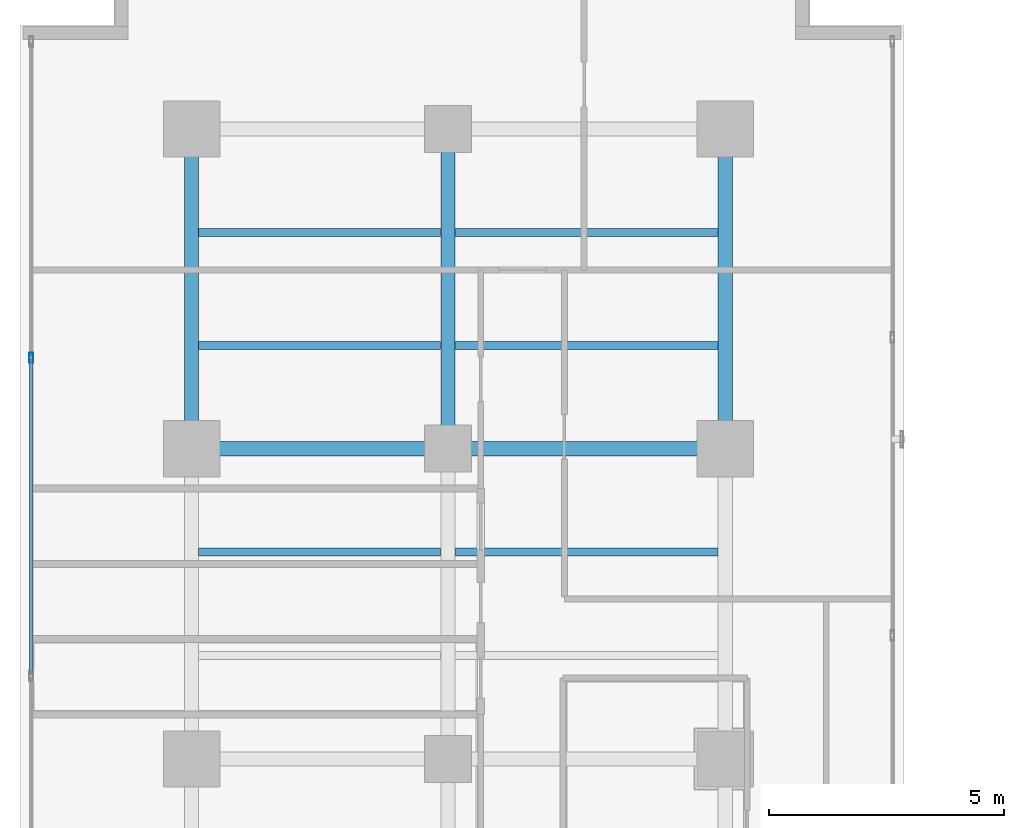
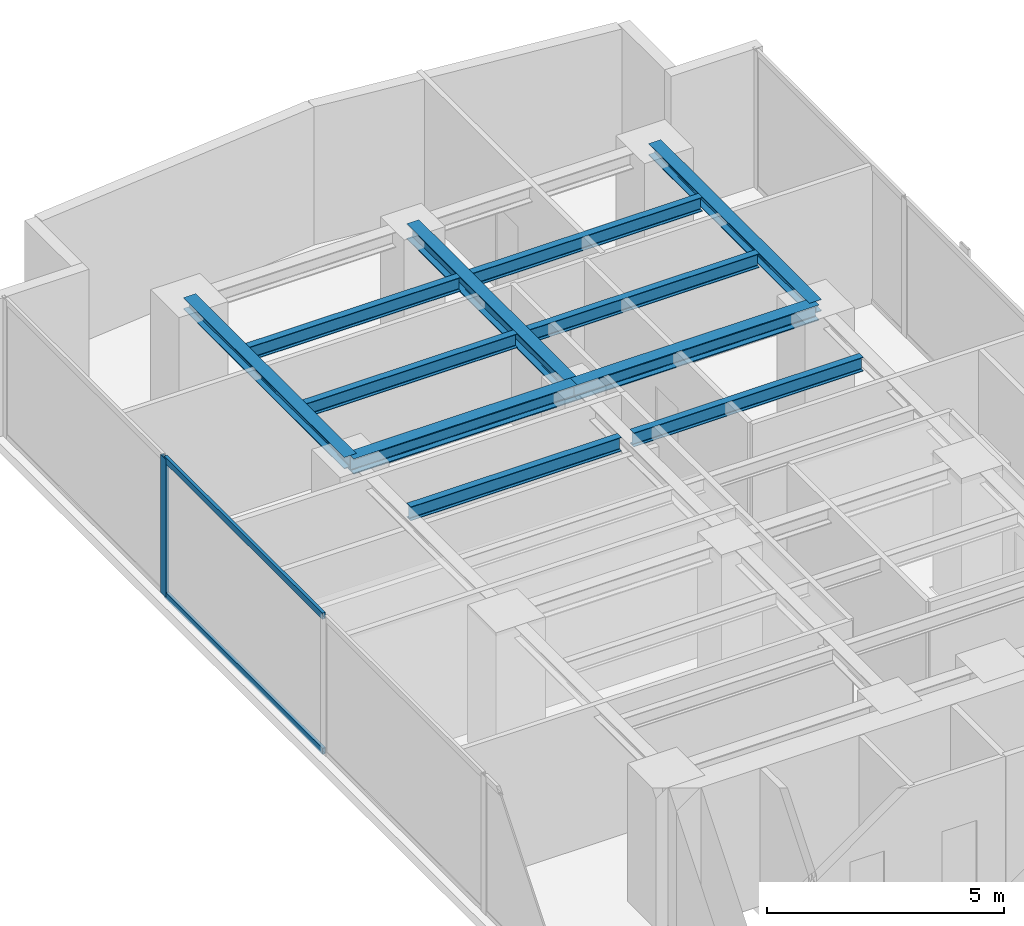
# One storey, part 16 of 27: 11 beams, 3 members, 1 element without a shape of its own.
"""IFC4 building model written with IfcOpenShell, lengths in metres."""

import ifcopenshell
import ifcopenshell.guid

model = None  # the IFC model being written
_history = None  # IfcOwnerHistory: only IFC2X3 demands one
_inside = {}  # id of a spatial element -> (the spatial element, [elements in it])
_under = {}  # id of a project, library or spatial element -> (it, [spatial elements below it])
_declared = {}  # id of a project -> (the project, [libraries it declares])
_typed = {}  # id of a type object -> (the type object, [elements of that type])
_made_of = {}  # id of a material, layer set ... -> (it, [elements and type objects made of it])


def new_model(schema):
    """Start an empty IFC model of exactly this schema.

    Asked for "IFC4X3", IfcOpenShell would pick the latest addendum, in which some entities
    have other attributes; the version numbers below select the first issue.
    IFC2X3 requires an IfcOwnerHistory on every rooted entity: one is made here for all.
    """
    global model, _history
    if schema == "IFC4X3":
        model = ifcopenshell.file(schema_version=(4, 3, 0, 0))
    else:
        model = ifcopenshell.file(schema=schema)
    _inside.clear()
    _under.clear()
    _declared.clear()
    _typed.clear()
    _made_of.clear()
    _history = None
    if model.schema == "IFC2X3":
        org = make("IfcOrganization", Name="unknown")
        user = make(
            "IfcPersonAndOrganization",
            ThePerson=make("IfcPerson", FamilyName="unknown"),
            TheOrganization=org,
        )
        app = make(
            "IfcApplication",
            ApplicationDeveloper=org,
            Version="unknown",
            ApplicationFullName="unknown",
            ApplicationIdentifier="unknown",
        )
        _history = make(
            "IfcOwnerHistory",
            OwningUser=user,
            OwningApplication=app,
            ChangeAction="ADDED",
            CreationDate=0,
        )
    return model


def make(cls, **values):
    """One entity of the class cls with the attributes given. An attribute that is None is left unset."""
    return model.create_entity(
        cls, **{name: value for name, value in values.items() if value is not None}
    )


def rooted(cls, **values):
    """An entity with a GlobalId (a new one), such as an element, a storey or a relation."""
    return make(cls, GlobalId=ifcopenshell.guid.new(), OwnerHistory=_history, **values)


def si_unit(unit_type, name, prefix=None):
    """IfcSIUnit, for example si_unit("LENGTHUNIT", "METRE", prefix="MILLI")."""
    return make("IfcSIUnit", UnitType=unit_type, Prefix=prefix, Name=name)


def assignment(units):
    """IfcUnitAssignment: the units of a project."""
    return None if units is None else make("IfcUnitAssignment", Units=units)


def point(xyz):
    """IfcCartesianPoint."""
    return None if xyz is None else make("IfcCartesianPoint", Coordinates=xyz)


def direction(xyz):
    """IfcDirection."""
    return None if xyz is None else make("IfcDirection", DirectionRatios=xyz)


def frame(location, z_axis=None, x_axis=None):
    """IfcAxis2Placement3D, a coordinate frame: its origin and axes. An axis left out is left unset."""
    return make(
        "IfcAxis2Placement3D",
        Location=point(location),
        Axis=direction(z_axis),
        RefDirection=direction(x_axis),
    )


def frame_2d(location, x_axis=None):
    """IfcAxis2Placement2D, a coordinate frame in the plane: its origin and x axis."""
    return make(
        "IfcAxis2Placement2D", Location=point(location), RefDirection=direction(x_axis)
    )


def origin():
    """The frame at (0, 0, 0) with its axes left unset."""
    return frame((0.0, 0.0, 0.0))


def origin_with_axes():
    """The frame at (0, 0, 0) with the z axis (0, 0, 1) and the x axis (1, 0, 0) written out."""
    return frame((0.0, 0.0, 0.0), z_axis=(0.0, 0.0, 1.0), x_axis=(1.0, 0.0, 0.0))


def origin_2d():
    """The frame at (0, 0) in the plane with its x axis left unset."""
    return frame_2d((0.0, 0.0))


def place(relative_to, where):
    """IfcLocalPlacement: puts the frame where relative to a parent placement (None: the world)."""
    return make(
        "IfcLocalPlacement", PlacementRelTo=relative_to, RelativePlacement=where
    )


def context(
    kind, dimensions, precision=None, world=None, true_north=None, identifier=None
):
    """IfcGeometricRepresentationContext, for example the 3D "Model" context."""
    return make(
        "IfcGeometricRepresentationContext",
        ContextIdentifier=identifier,
        ContextType=kind,
        CoordinateSpaceDimension=dimensions,
        Precision=precision,
        WorldCoordinateSystem=world,
        TrueNorth=true_north,
    )


def subcontext(parent, identifier, kind, view, scale=None):
    """IfcGeometricRepresentationSubContext, for example "Body" below "Model"."""
    return make(
        "IfcGeometricRepresentationSubContext",
        ContextIdentifier=identifier,
        ContextType=kind,
        ParentContext=parent,
        TargetScale=scale,
        TargetView=view,
    )


def project(units=None, contexts=None):
    """IfcProject with its units and contexts."""
    return rooted(
        "IfcProject",
        Name="project",
        RepresentationContexts=contexts,
        UnitsInContext=assignment(units),
    )


def spatial(cls, under=None, at=None, **own):
    """A site, building, storey or space (cls), placed at a placement, below another one or the project."""
    s = rooted(cls, ObjectPlacement=at, **own)
    if under is not None:
        _under.setdefault(under.id(), (under, []))[1].append(s)
    return s


def profile(cls, at=None, kind="AREA", **sizes):
    """A parametric profile (cls). Its sizes go by their IFC names, for example OverallWidth=200.0."""
    return make(cls, ProfileType=kind, Position=at, **sizes)


def hollow_rectangle(**sizes):
    """IfcRectangleHollowProfileDef."""
    return profile("IfcRectangleHollowProfileDef", **sizes)


def i_section(**sizes):
    """IfcIShapeProfileDef."""
    return profile("IfcIShapeProfileDef", **sizes)


def extrude(swept, where, along, depth):
    """IfcExtrudedAreaSolid: the profile swept, set in the frame where, extruded along a direction by depth."""
    return make(
        "IfcExtrudedAreaSolid",
        SweptArea=swept,
        Position=where,
        ExtrudedDirection=direction(along),
        Depth=depth,
    )


def shape(context_of_items, identifier, shape_type, items):
    """IfcShapeRepresentation: the items that make up one representation, for example the "Body"."""
    return make(
        "IfcShapeRepresentation",
        ContextOfItems=context_of_items,
        RepresentationIdentifier=identifier,
        RepresentationType=shape_type,
        Items=items,
    )


def source(mapping_origin, context_of_items, identifier, shape_type, items):
    """IfcRepresentationMap: a shape defined once, which mapped items show again and again."""
    return make(
        "IfcRepresentationMap",
        MappingOrigin=mapping_origin,
        MappedRepresentation=shape(context_of_items, identifier, shape_type, items),
    )


def transform(
    local_origin,
    x_axis=None,
    y_axis=None,
    z_axis=None,
    scale=None,
    scale2=None,
    scale3=None,
    uniform=True,
):
    """IfcCartesianTransformationOperator3D, or its non-uniform kind. x_axis, y_axis, z_axis: its Axis1, 2, 3."""
    if uniform:
        return make(
            "IfcCartesianTransformationOperator3D",
            Axis1=direction(x_axis),
            Axis2=direction(y_axis),
            LocalOrigin=point(local_origin),
            Scale=scale,
            Axis3=direction(z_axis),
        )
    return make(
        "IfcCartesianTransformationOperator3DnonUniform",
        Axis1=direction(x_axis),
        Axis2=direction(y_axis),
        LocalOrigin=point(local_origin),
        Scale=scale,
        Axis3=direction(z_axis),
        Scale2=scale2,
        Scale3=scale3,
    )


def mapped(mapping_source, mapping_target):
    """IfcMappedItem: shows the shape of a source again, moved by a transform."""
    return make(
        "IfcMappedItem", MappingSource=mapping_source, MappingTarget=mapping_target
    )


def material(Name=None, Category=None):
    """IfcMaterial."""
    return make("IfcMaterial", Name=Name, Category=Category)


def layer(
    of_material, thickness, ventilated=None, Name=None, Category=None, Priority=None
):
    """IfcMaterialLayer: one layer of a wall or slab, of a material (None: an air gap)."""
    return make(
        "IfcMaterialLayer",
        Material=of_material,
        LayerThickness=thickness,
        IsVentilated=ventilated,
        Name=Name,
        Category=Category,
        Priority=Priority,
    )


def layer_set(layers, Name=None):
    """IfcMaterialLayerSet."""
    return make("IfcMaterialLayerSet", MaterialLayers=layers, LayerSetName=Name)


def material_profile(
    of_material, cross_section, Name=None, Category=None, Priority=None
):
    """IfcMaterialProfile: a cross section and its material."""
    return make(
        "IfcMaterialProfile",
        Name=Name,
        Material=of_material,
        Profile=cross_section,
        Priority=Priority,
        Category=Category,
    )


def profile_set(profiles, Name=None, composite=None):
    """IfcMaterialProfileSet."""
    return make(
        "IfcMaterialProfileSet",
        Name=Name,
        MaterialProfiles=profiles,
        CompositeProfile=composite,
    )


def made_of(thing, what):
    """Note that an element or type object is made of a material, layer set ...; save() writes the relation."""
    if what is not None:
        _made_of.setdefault(what.id(), (what, []))[1].append(thing)
    return thing


def type_object(cls, material=None, **own):
    """A type object (cls), such as IfcWallType, which elements share."""
    return made_of(rooted(cls, **own), material)


def element(
    cls,
    number,
    at=None,
    inside=None,
    cuts=None,
    type_object=None,
    material=None,
    context=None,
    identifier="Body",
    shape_type=None,
    held_by="IfcProductDefinitionShape",
    body=None,
    shapes=None,
    **own,
):
    """One element of the class cls, such as IfcWall. Its Tag is "e" and its number.

    at: its placement. inside: the storey or other place that contains it. cuts: it is an
    opening in that element (IfcRelVoidsElement). A single representation is given by context,
    identifier, shape_type and body (its items); several are given by shapes. held_by: the class
    of the entity that holds the representations. save() writes the other relations.
    """
    e = rooted(cls, Tag="e%d" % number, ObjectPlacement=at, **own)
    if body is not None:
        shapes = [shape(context, identifier, shape_type, body)]
    if shapes is not None:
        e.Representation = make(held_by, Representations=shapes)
    if inside is not None:
        _inside.setdefault(inside.id(), (inside, []))[1].append(e)
    if cuts is not None:
        rooted(
            "IfcRelVoidsElement", RelatingBuildingElement=cuts, RelatedOpeningElement=e
        )
    if type_object is not None:
        _typed.setdefault(type_object.id(), (type_object, []))[1].append(e)
    return made_of(e, material)


def aggregate(whole, parts):
    """IfcRelAggregates: a whole, such as a stair, and the parts it consists of."""
    return rooted("IfcRelAggregates", RelatingObject=whole, RelatedObjects=parts)


def save(model, path):
    """Write the relations noted so far, then the file.

    IfcRelAggregates (storeys below a building ...), IfcRelContainedInSpatialStructure (elements
    in a storey), IfcRelDefinesByType, IfcRelAssociatesMaterial and IfcRelDeclares: one each for
    every whole, place, type object, material and project.
    """
    for whole, parts in _under.values():
        aggregate(whole, parts)
    for where, things in _inside.values():
        rooted(
            "IfcRelContainedInSpatialStructure",
            RelatedElements=things,
            RelatingStructure=where,
        )
    for kind, things in _typed.values():
        rooted("IfcRelDefinesByType", RelatedObjects=things, RelatingType=kind)
    for what, things in _made_of.values():
        rooted("IfcRelAssociatesMaterial", RelatedObjects=things, RelatingMaterial=what)
    for by, libraries in _declared.values():
        rooted("IfcRelDeclares", RelatingContext=by, RelatedDefinitions=libraries)
    model.write(path)


model = new_model("IFC4")

# Units and contexts
model_context = context("Model", 3, precision=1e-05, world=origin(), true_north=direction((0.0, 1.0)))
body_context = subcontext(model_context, "Body", "Model", "MODEL_VIEW")
ifc_project = project(units=[si_unit("LENGTHUNIT", "METRE"), si_unit("AREAUNIT", "SQUARE_METRE"), si_unit("VOLUMEUNIT", "CUBIC_METRE"), si_unit("PLANEANGLEUNIT", "RADIAN"), si_unit("MASSUNIT", "GRAM", prefix="KILO")], contexts=[model_context])

# Site, building, storey
site_placement = place(None, origin())
site = spatial("IfcSite", under=ifc_project, at=site_placement, CompositionType="ELEMENT")
building_placement = place(site_placement, origin())
building = spatial("IfcBuilding", under=site, at=building_placement, Name="Kolvaren Waterfront Exchange", CompositionType="ELEMENT")
storey_placement = place(building_placement, frame((0.0, 0.0, 191.800048828125)))
storey = spatial("IfcBuildingStorey", under=building, at=storey_placement, Name="L49", CompositionType="ELEMENT", Elevation=191.800048828125)

# Beams
ifc_material_1 = material(Name="Steel S355", Category="steel")
ifc_material_profile_1 = material_profile(ifc_material_1, i_section(OverallWidth=0.300048828125, OverallDepth=0.300048828125, WebThickness=0.010986328125, FlangeThickness=0.01904296875, FilletRadius=0.027099609375, at=origin_2d()), Name="HEB300")
ifc_profile_set_1 = profile_set([ifc_material_profile_1], Name="Steel S355")
beam_type_1 = type_object("IfcBeamType", Name="STR-BM-HEB300", PredefinedType="SPANDREL", material=ifc_profile_set_1)
for number, where, z_axis, x_axis, name in (
    (1, (7.449951171875, 37.800048828125, 3.409912109375), (0.0, 1.0, 0.0), (-1.0, 0.0, 0.0), "L49 north-arm edge beam 3"),
    (2, (18.800048828125, 37.800048828125, 3.409912109375), (0.0, 1.0, 0.0), (-1.0, 0.0, 0.0), "L49 north-arm edge beam 3"),
):
    element("IfcBeam", number, at=place(storey_placement, frame(where, z_axis=z_axis, x_axis=x_axis)), inside=storey, type_object=beam_type_1, Name=name, PredefinedType="SPANDREL", context=body_context, shape_type="SweptSolid", body=[
        extrude(i_section(OverallWidth=0.300048828125, OverallDepth=0.300048828125, WebThickness=0.010986328125, FlangeThickness=0.01904296875, FilletRadius=0.027099609375, at=origin_2d()), origin(), (0.0, 0.0, 1.0), 6.800048828125),
    ])
ifc_material_profile_2 = material_profile(ifc_material_1, i_section(OverallWidth=0.300048828125, OverallDepth=0.39990234375, WebThickness=0.013427734375, FlangeThickness=0.02392578125, FilletRadius=0.027099609375, at=origin_2d()), Name="HEB400")
ifc_profile_set_2 = profile_set([ifc_material_profile_2], Name="Steel S355")
beam_type_2 = type_object("IfcBeamType", Name="STR-BM-HEB400", PredefinedType="BEAM", material=ifc_profile_set_2)
beam_1_placement = place(storey_placement, frame((7.449951171875, 37.800048828125, 3.35986328125), z_axis=(1.0, 0.0, 0.0), x_axis=(0.0, 1.0, 0.0)))
element("IfcBeam", 3, at=beam_1_placement, inside=storey, type_object=beam_type_2, Name="L49 north-arm girder 3A", PredefinedType="BEAM", context=body_context, shape_type="SweptSolid", body=[
    extrude(i_section(OverallWidth=0.300048828125, OverallDepth=0.39990234375, WebThickness=0.013427734375, FlangeThickness=0.02392578125, FilletRadius=0.027099609375, at=origin_2d()), origin(), (0.0, 0.0, 1.0), 5.449951171875),
])
beam_2_placement = place(storey_placement, frame((12.89990234375, 37.800048828125, 3.35986328125), z_axis=(1.0, 0.0, 0.0), x_axis=(0.0, 1.0, 0.0)))
element("IfcBeam", 4, at=beam_2_placement, inside=storey, type_object=beam_type_2, Name="L49 north-arm girder 3B", PredefinedType="BEAM", context=body_context, shape_type="SweptSolid", body=[
    extrude(i_section(OverallWidth=0.300048828125, OverallDepth=0.39990234375, WebThickness=0.013427734375, FlangeThickness=0.02392578125, FilletRadius=0.027099609375, at=origin_2d()), origin(), (0.0, 0.0, 1.0), 5.900146484375),
])
beam_3_placement = place(storey_placement, frame((12.89990234375, 37.800048828125, 3.35986328125), z_axis=(0.0, 1.0, 0.0), x_axis=(-1.0, 0.0, 0.0)))
element("IfcBeam", 5, at=beam_3_placement, inside=storey, type_object=beam_type_2, Name="L49 north-arm edge beam 3", PredefinedType="BEAM", context=body_context, shape_type="SweptSolid", body=[
    extrude(i_section(OverallWidth=0.300048828125, OverallDepth=0.39990234375, WebThickness=0.013427734375, FlangeThickness=0.02392578125, FilletRadius=0.027099609375, at=origin_2d()), origin(), (0.0, 0.0, 1.0), 6.800048828125),
])
ifc_material_profile_3 = material_profile(ifc_material_1, i_section(OverallWidth=0.169921875, OverallDepth=0.360107421875, WebThickness=0.008056640625, FlangeThickness=0.0126953125, FilletRadius=0.01806640625, at=origin_2d()), Name="IPE360")
ifc_profile_set_3 = profile_set([ifc_material_profile_3], Name="Steel S355")
beam_type_3 = type_object("IfcBeamType", Name="STR-BM-IPE360", PredefinedType="JOIST", material=ifc_profile_set_3)
beam_4_placement = place(storey_placement, frame((7.60205078125, 35.60009765625, 3.3798828125), z_axis=(1.0, 0.0, 0.0), x_axis=(0.0, 1.0, 0.0)))
element("IfcBeam", 6, at=beam_4_placement, inside=storey, type_object=beam_type_3, Name="L49 north-arm composite joist 4A", PredefinedType="JOIST", context=body_context, shape_type="SweptSolid", body=[
    extrude(i_section(OverallWidth=0.169921875, OverallDepth=0.360107421875, WebThickness=0.008056640625, FlangeThickness=0.0126953125, FilletRadius=0.01806640625, at=origin_2d()), origin(), (0.0, 0.0, 1.0), 5.14599609375),
])
beam_5_placement = place(storey_placement, frame((13.052001953125, 35.60009765625, 3.3798828125), z_axis=(1.0, 0.0, 0.0), x_axis=(0.0, 1.0, 0.0)))
element("IfcBeam", 7, at=beam_5_placement, inside=storey, type_object=beam_type_3, Name="L49 north-arm composite joist 4B", PredefinedType="JOIST", context=body_context, shape_type="SweptSolid", body=[
    extrude(i_section(OverallWidth=0.169921875, OverallDepth=0.360107421875, WebThickness=0.008056640625, FlangeThickness=0.0126953125, FilletRadius=0.01806640625, at=origin_2d()), origin(), (0.0, 0.0, 1.0), 5.595947265625),
])
beam_6_placement = place(storey_placement, frame((7.60205078125, 40.0, 3.3798828125), z_axis=(1.0, 0.0, 0.0), x_axis=(0.0, 1.0, 0.0)))
element("IfcBeam", 8, at=beam_6_placement, inside=storey, type_object=beam_type_3, Name="L49 north-arm composite joist 5A", PredefinedType="JOIST", context=body_context, shape_type="SweptSolid", body=[
    extrude(i_section(OverallWidth=0.169921875, OverallDepth=0.360107421875, WebThickness=0.008056640625, FlangeThickness=0.0126953125, FilletRadius=0.01806640625, at=origin_2d()), origin(), (0.0, 0.0, 1.0), 5.14599609375),
])
beam_7_placement = place(storey_placement, frame((13.052001953125, 40.0, 3.3798828125), z_axis=(1.0, 0.0, 0.0), x_axis=(0.0, 1.0, 0.0)))
element("IfcBeam", 9, at=beam_7_placement, inside=storey, type_object=beam_type_3, Name="L49 north-arm composite joist 5B", PredefinedType="JOIST", context=body_context, shape_type="SweptSolid", body=[
    extrude(i_section(OverallWidth=0.169921875, OverallDepth=0.360107421875, WebThickness=0.008056640625, FlangeThickness=0.0126953125, FilletRadius=0.01806640625, at=origin_2d()), origin(), (0.0, 0.0, 1.0), 5.595947265625),
])
beam_8_placement = place(storey_placement, frame((7.60205078125, 42.39990234375, 3.3798828125), z_axis=(1.0, 0.0, 0.0), x_axis=(0.0, 1.0, 0.0)))
element("IfcBeam", 10, at=beam_8_placement, inside=storey, type_object=beam_type_3, Name="L49 north-arm composite joist 6A", PredefinedType="JOIST", context=body_context, shape_type="SweptSolid", body=[
    extrude(i_section(OverallWidth=0.169921875, OverallDepth=0.360107421875, WebThickness=0.008056640625, FlangeThickness=0.0126953125, FilletRadius=0.01806640625, at=origin_2d()), origin(), (0.0, 0.0, 1.0), 5.14599609375),
])
beam_9_placement = place(storey_placement, frame((13.052001953125, 42.39990234375, 3.3798828125), z_axis=(1.0, 0.0, 0.0), x_axis=(0.0, 1.0, 0.0)))
element("IfcBeam", 11, at=beam_9_placement, inside=storey, type_object=beam_type_3, Name="L49 north-arm composite joist 6B", PredefinedType="JOIST", context=body_context, shape_type="SweptSolid", body=[
    extrude(i_section(OverallWidth=0.169921875, OverallDepth=0.360107421875, WebThickness=0.008056640625, FlangeThickness=0.0126953125, FilletRadius=0.01806640625, at=origin_2d()), origin(), (0.0, 0.0, 1.0), 5.595947265625),
])

# Curtain wall, members
ifc_material_2 = material(Name="Anodised aluminium 6063-T6", Category="aluminium")
ifc_layer = layer(ifc_material_2, 0.219970703125, Name="Anodised aluminium 6063-T6")
ifc_layer_set = layer_set([ifc_layer], Name="Anodised aluminium 6063-T6")
curtain_wall_type = type_object("IfcCurtainWallType", Name="ARC-CW-SYS2", PredefinedType="USERDEFINED", material=ifc_layer_set)
curtain_wall_placement = place(storey_placement, origin())
curtain_wall = element("IfcCurtainWall", 12, at=curtain_wall_placement, inside=storey, type_object=curtain_wall_type, Name="L49 stick curtain wall CW2 (CW-L49-W)", ObjectType="STICK CURTAIN WALL", PredefinedType="USERDEFINED")
ifc_material_profile_4 = material_profile(ifc_material_2, hollow_rectangle(XDim=0.080078125, YDim=0.219970703125, WallThickness=0.0048828125, at=origin_2d()), Name="ALU-MUL-220x80x5")
ifc_profile_set_4 = profile_set([ifc_material_profile_4], Name="Anodised aluminium 6063-T6")
member_type_1 = type_object("IfcMemberType", Name="ARC-CWM-220", PredefinedType="MULLION", material=ifc_profile_set_4)
shared_shape_1 = source(origin_with_axes(), body_context, "Body", "SweptSolid", [
    extrude(hollow_rectangle(XDim=0.080078125, YDim=0.219970703125, WallThickness=0.0048828125, at=origin_2d()), origin(), (0.0, 0.0, 1.0), 3.56005859375),
])
member_1_placement = place(storey_placement, frame((4.0400390625, 39.7333984375, 0.0), z_axis=(0.0, 0.0, 1.0), x_axis=(-1.0, 0.0, 0.0)))
member_1 = element("IfcMember", 13, at=member_1_placement, type_object=member_type_1, Name="CW2 mullion 6", PredefinedType="MULLION", context=body_context, shape_type="MappedRepresentation", body=[
    mapped(shared_shape_1, transform((0.0, 0.0, 0.0), x_axis=(1.0, 0.0, 0.0), y_axis=(0.0, 1.0, 0.0), z_axis=(0.0, 0.0, 1.0), scale=1.0)),
])
ifc_material_profile_5 = material_profile(ifc_material_2, hollow_rectangle(XDim=0.074951171875, YDim=0.159912109375, WallThickness=0.00439453125, at=origin_2d()), Name="ALU-TRN-160x75x4.5")
ifc_profile_set_5 = profile_set([ifc_material_profile_5], Name="Anodised aluminium 6063-T6")
member_type_2 = type_object("IfcMemberType", Name="ARC-CWT-160", PredefinedType="USERDEFINED", material=ifc_profile_set_5)
shared_shape_2 = source(origin_with_axes(), body_context, "Body", "SweptSolid", [
    extrude(hollow_rectangle(XDim=0.074951171875, YDim=0.159912109375, WallThickness=0.00439453125, at=origin_2d()), origin(), (0.0, 0.0, 1.0), 6.686767578125),
])
member_2_placement = place(storey_placement, frame((4.0400390625, 33.006591796875, 0.037353515625), z_axis=(0.0, 1.0, 0.0), x_axis=(-1.0, 0.0, 0.0)))
member_2 = element("IfcMember", 14, at=member_2_placement, type_object=member_type_2, Name="CW2 transom 5.1", ObjectType="TRANSOM", PredefinedType="USERDEFINED", context=body_context, shape_type="MappedRepresentation", body=[
    mapped(shared_shape_2, transform((0.0, 0.0, 0.0), x_axis=(1.0, 0.0, 0.0), y_axis=(0.0, 1.0, 0.0), z_axis=(0.0, 0.0, 1.0), scale=1.0)),
])
member_3_placement = place(storey_placement, frame((4.0400390625, 33.006591796875, 3.5224609375), z_axis=(0.0, 1.0, 0.0), x_axis=(-1.0, 0.0, 0.0)))
member_3 = element("IfcMember", 15, at=member_3_placement, type_object=member_type_2, Name="CW2 transom 5.2", ObjectType="TRANSOM", PredefinedType="USERDEFINED", context=body_context, shape_type="MappedRepresentation", body=[
    mapped(shared_shape_2, transform((0.0, 0.0, 0.0), x_axis=(1.0, 0.0, 0.0), y_axis=(0.0, 1.0, 0.0), z_axis=(0.0, 0.0, 1.0), scale=1.0)),
])
aggregate(curtain_wall, [member_1, member_2, member_3])

save(model, "model.ifc")
